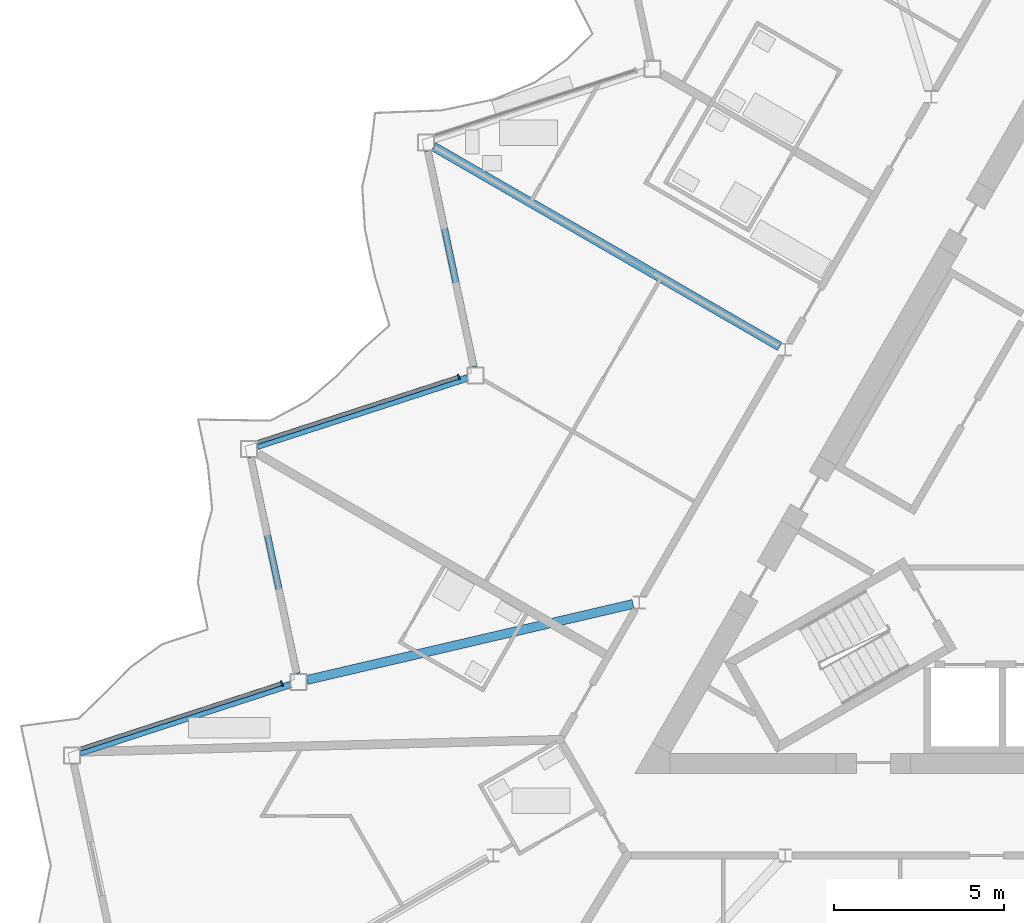
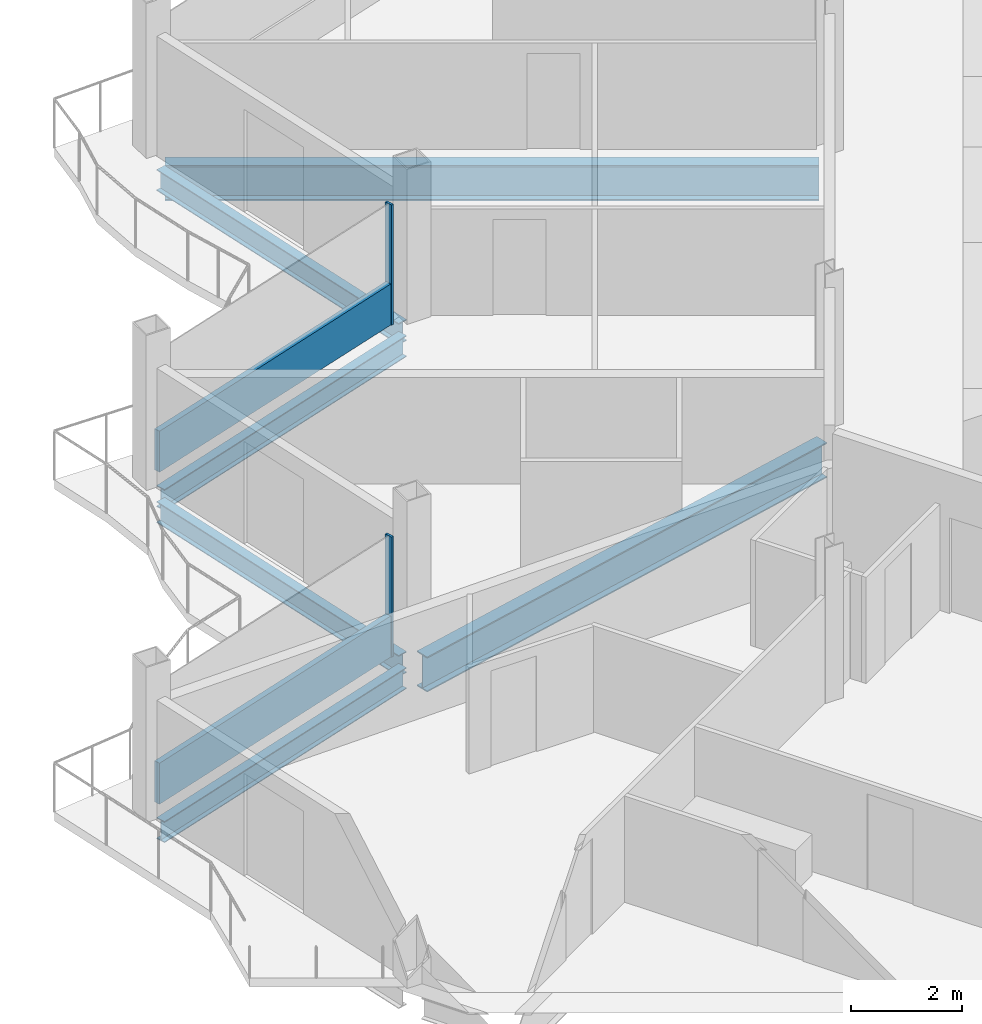
# One storey, part 6 of 26: 6 beams, 4 members, 2 elements without a shape of their own.
"""IFC4 building model written with IfcOpenShell, lengths in metres."""

from ifc_helpers import new_model, si_unit, direction, frame, origin, origin_2d, place, context, subcontext, project, spatial, rectangle, i_section, extrude, material, layer, layer_set, material_profile, profile_set, type_object, element, aggregate, save


model = new_model("IFC4")

# Units and contexts
model_context = context("Model", 3, precision=1e-05, world=origin(), true_north=direction((0.0, 1.0)))
body_context = subcontext(model_context, "Body", "Model", "MODEL_VIEW")
ifc_project = project(units=[si_unit("LENGTHUNIT", "METRE"), si_unit("AREAUNIT", "SQUARE_METRE"), si_unit("VOLUMEUNIT", "CUBIC_METRE"), si_unit("PLANEANGLEUNIT", "RADIAN"), si_unit("MASSUNIT", "GRAM", prefix="KILO")], contexts=[model_context])

# Site, building, storey
site_placement = place(None, origin())
site = spatial("IfcSite", under=ifc_project, at=site_placement, CompositionType="ELEMENT")
building_placement = place(site_placement, origin())
building = spatial("IfcBuilding", under=site, at=building_placement, Name="Cormorant Prow Tower", CompositionType="ELEMENT")
storey_placement = place(building_placement, frame((0.0, 0.0, 398.39990234375)))
storey = spatial("IfcBuildingStorey", under=building, at=storey_placement, Name="L91", CompositionType="ELEMENT", Elevation=398.39990234375)

# Beams
ifc_material_1 = material(Name="Structural steel ASTM A992 Gr 50", Category="steel")
ifc_material_profile_1 = material_profile(ifc_material_1, i_section(OverallWidth=0.267822265625, OverallDepth=0.77001953125, WebThickness=0.015625, FlangeThickness=0.025390625, at=origin_2d()), Name="W30x132")
ifc_profile_set_1 = profile_set([ifc_material_profile_1], Name="Structural steel ASTM A992 Gr 50")
beam_type_1 = type_object("IfcBeamType", Name="Radial floor beam W30x132", PredefinedType="BEAM", material=ifc_profile_set_1)
beam_1_placement = place(storey_placement, frame((-8.740478515625, 5.04638671875, -0.684814453125), z_axis=(-0.866026702285, 0.499997750924, 0.0), x_axis=(-0.499997750924, -0.866026702285, 0.0)))
element("IfcBeam", 1, at=beam_1_placement, inside=storey, type_object=beam_type_1, Name="Radial floor beam FB3 3 L91", PredefinedType="BEAM", context=body_context, shape_type="SweptSolid", body=[
    extrude(i_section(OverallWidth=0.267822265625, OverallDepth=0.77001953125, WebThickness=0.015625, FlangeThickness=0.025390625, at=origin_2d()), origin(), (0.0, 0.0, 1.0), 11.7451171875),
])
beam_2_placement = place(storey_placement, frame((-13.0498046875, -2.518798828125, -0.684814453125), z_axis=(-0.973926084128, -0.226865560752, 0.0), x_axis=(0.226865560752, -0.973926084128, 0.0)))
element("IfcBeam", 2, at=beam_2_placement, inside=storey, type_object=beam_type_1, Name="Radial floor beam FB3 4 L91", PredefinedType="BEAM", context=body_context, shape_type="SweptSolid", body=[
    extrude(i_section(OverallWidth=0.267822265625, OverallDepth=0.77001953125, WebThickness=0.015625, FlangeThickness=0.025390625, at=origin_2d()), origin(), (0.0, 0.0, 1.0), 9.837158203125),
])

# Curtain wall, member
ifc_material_2 = material(Name="Aluminium 6063-T6", Category="aluminium")
ifc_layer = layer(ifc_material_2, 0.159912109375)
ifc_layer_set = layer_set([ifc_layer], Name="Aluminium 6063-T6")
curtain_wall_type = type_object("IfcCurtainWallType", Name="Residential unitised curtain wall 160", PredefinedType="NOTDEFINED", material=ifc_layer_set)
curtain_wall_1_placement = place(storey_placement, origin())
curtain_wall_1 = element("IfcCurtainWall", 3, at=curtain_wall_1_placement, inside=storey, type_object=curtain_wall_type, Name="Residential curtain wall WNW06", PredefinedType="NOTDEFINED")
ifc_material_3 = material(Name="Aluminium 6063-T6", Category="aluminium")
ifc_material_profile_2 = material_profile(ifc_material_3, rectangle(XDim=0.159912109375, YDim=0.050048828125, at=origin_2d()), Name="Residential mullion 50x160")
ifc_profile_set_2 = profile_set([ifc_material_profile_2], Name="Aluminium 6063-T6")
member_type_1 = type_object("IfcMemberType", Name="Residential mullion 50x160", PredefinedType="MULLION", material=ifc_profile_set_2)
member_1_placement = place(storey_placement, frame((-18.169677734375, 4.150390625, 0.0), z_axis=(0.0, 0.0, 1.0), x_axis=(0.309017066365, -0.951056492904, 0.0)))
member_1 = element("IfcMember", 4, at=member_1_placement, type_object=member_type_1, Name="Residential mullion WNW06", PredefinedType="MULLION", context=body_context, shape_type="SweptSolid", body=[
    extrude(rectangle(XDim=0.159912109375, YDim=0.050048828125, at=origin_2d()), origin(), (0.0, 0.0, 1.0), 2.634033203125),
])

curtain_wall_2_placement = place(storey_placement, origin())
curtain_wall_2 = element("IfcCurtainWall", 5, at=curtain_wall_2_placement, inside=storey, type_object=curtain_wall_type, Name="Residential curtain wall WNW08", PredefinedType="NOTDEFINED")
member_2_placement = place(storey_placement, frame((-23.36962890625, -4.8564453125, 0.0), z_axis=(0.0, 0.0, 1.0), x_axis=(0.309017066365, -0.951056492904, 0.0)))
member_2 = element("IfcMember", 6, at=member_2_placement, type_object=member_type_1, Name="Residential mullion WNW08", PredefinedType="MULLION", context=body_context, shape_type="SweptSolid", body=[
    extrude(rectangle(XDim=0.159912109375, YDim=0.050048828125, at=origin_2d()), origin(), (0.0, 0.0, 1.0), 2.634033203125),
])

# Member
ifc_material_4 = material(Name="Terracotta", Category="masonry")
ifc_material_profile_3 = material_profile(ifc_material_4, rectangle(XDim=0.1201171875, YDim=0.89990234375, at=origin_2d()), Name="Residential terracotta spandrel rail 120x900")
ifc_profile_set_3 = profile_set([ifc_material_profile_3], Name="Terracotta")
member_type_2 = type_object("IfcMemberType", Name="Residential terracotta spandrel rail 120x900", PredefinedType="USERDEFINED", material=ifc_profile_set_3)
member_3_placement = place(storey_placement, frame((-18.193359375, 4.142578125, 0.4501953125), z_axis=(-0.951056004715, -0.309018568854, 0.0), x_axis=(0.309018568854, -0.951056004715, 0.0)))
member_3 = element("IfcMember", 7, at=member_3_placement, type_object=member_type_2, Name="Residential spandrel rail WNW06", ObjectType="TRANSOM", PredefinedType="USERDEFINED", context=body_context, shape_type="SweptSolid", body=[
    extrude(rectangle(XDim=0.1201171875, YDim=0.89990234375, at=origin_2d()), origin(), (0.0, 0.0, 1.0), 6.21533203125),
])

aggregate(curtain_wall_1, [member_1, member_3])

member_4_placement = place(storey_placement, frame((-23.393310546875, -4.864013671875, 0.4501953125), z_axis=(-0.951056004715, -0.309018568854, 0.0), x_axis=(0.309018568854, -0.951056004715, 0.0)))
member_4 = element("IfcMember", 8, at=member_4_placement, type_object=member_type_2, Name="Residential spandrel rail WNW08", ObjectType="TRANSOM", PredefinedType="USERDEFINED", context=body_context, shape_type="SweptSolid", body=[
    extrude(rectangle(XDim=0.1201171875, YDim=0.89990234375, at=origin_2d()), origin(), (0.0, 0.0, 1.0), 6.21533203125),
])

aggregate(curtain_wall_2, [member_2, member_4])

# Beams
ifc_material_5 = material(Name="Structural steel ASTM A992 Gr 50", Category="steel")
ifc_material_profile_4 = material_profile(ifc_material_5, i_section(OverallWidth=0.19287109375, OverallDepth=0.466064453125, WebThickness=0.011474609375, FlangeThickness=0.01904296875, at=origin_2d()), Name="W18x65")
ifc_profile_set_4 = profile_set([ifc_material_profile_4], Name="Structural steel ASTM A992 Gr 50")
beam_type_2 = type_object("IfcBeamType", Name="Spandrel beam W18x65", PredefinedType="SPANDREL", material=ifc_profile_set_4)
for number, where, z_axis, x_axis, name in (
    (9, (-19.07666015625, 10.79931640625, -0.532958984375), (0.207909538847, -0.978148058147, 0.0), (0.978148058147, 0.207909538847, 0.0), "Spandrel beam SB4 WNW05-WNW06 L91"),
    (10, (-17.91162109375, 4.122314453125, -0.532958984375), (-0.951053396625, -0.309026595569, 0.0), (0.309026595569, -0.951053396625, 0.0), "Spandrel beam SB4 WNW06-WNW07 L91"),
    (11, (-24.276611328125, 1.792724609375, -0.532958984375), (0.207909538847, -0.978148058147, 0.0), (0.978148058147, 0.207909538847, 0.0), "Spandrel beam SB4 WNW07-WNW08 L91"),
    (12, (-23.111572265625, -4.88427734375, -0.532958984375), (-0.951053396625, -0.309026595569, 0.0), (0.309026595569, -0.951053396625, 0.0), "Spandrel beam SB4 WNW08-WNW09 L91"),
):
    element("IfcBeam", number, at=place(storey_placement, frame(where, z_axis=z_axis, x_axis=x_axis)), inside=storey, type_object=beam_type_2, Name=name, PredefinedType="SPANDREL", context=body_context, shape_type="SweptSolid", body=[
        extrude(i_section(OverallWidth=0.19287109375, OverallDepth=0.466064453125, WebThickness=0.011474609375, FlangeThickness=0.01904296875, at=origin_2d()), origin(), (0.0, 0.0, 1.0), 6.497314453125),
    ])

save(model, "model.ifc")
